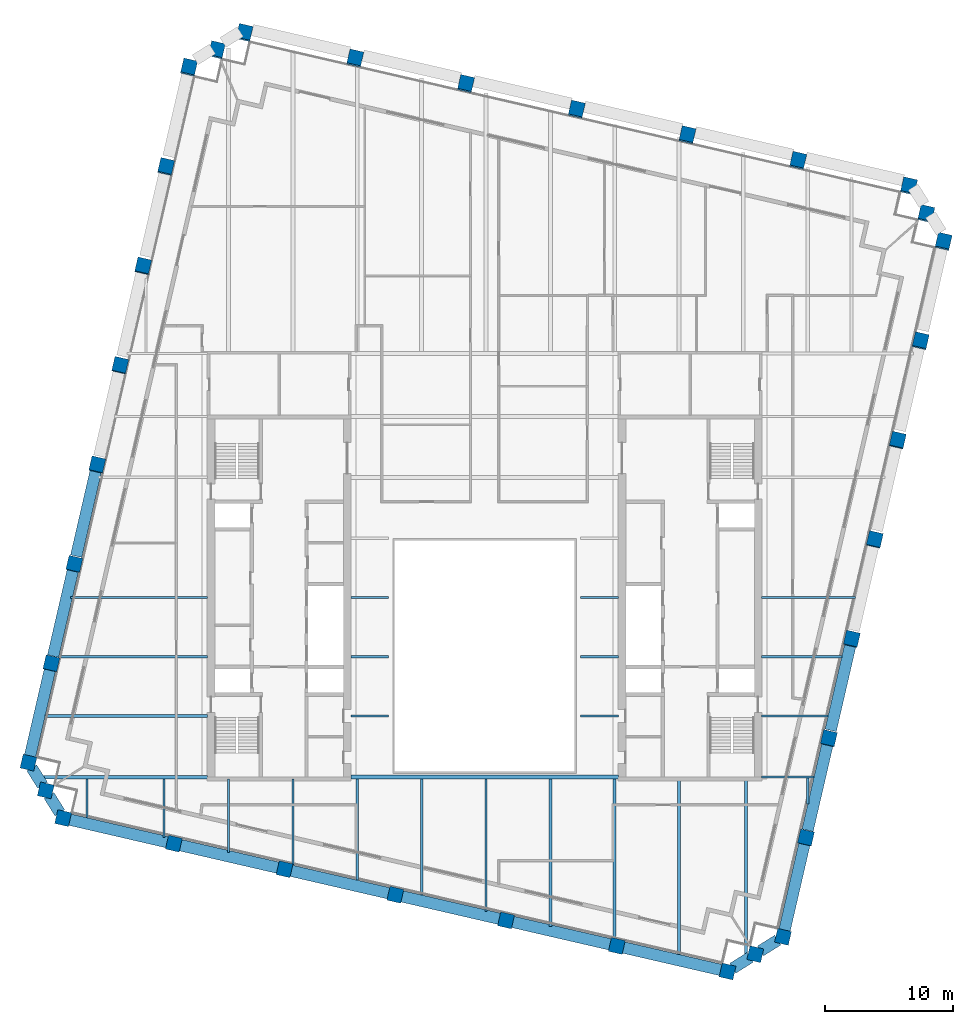
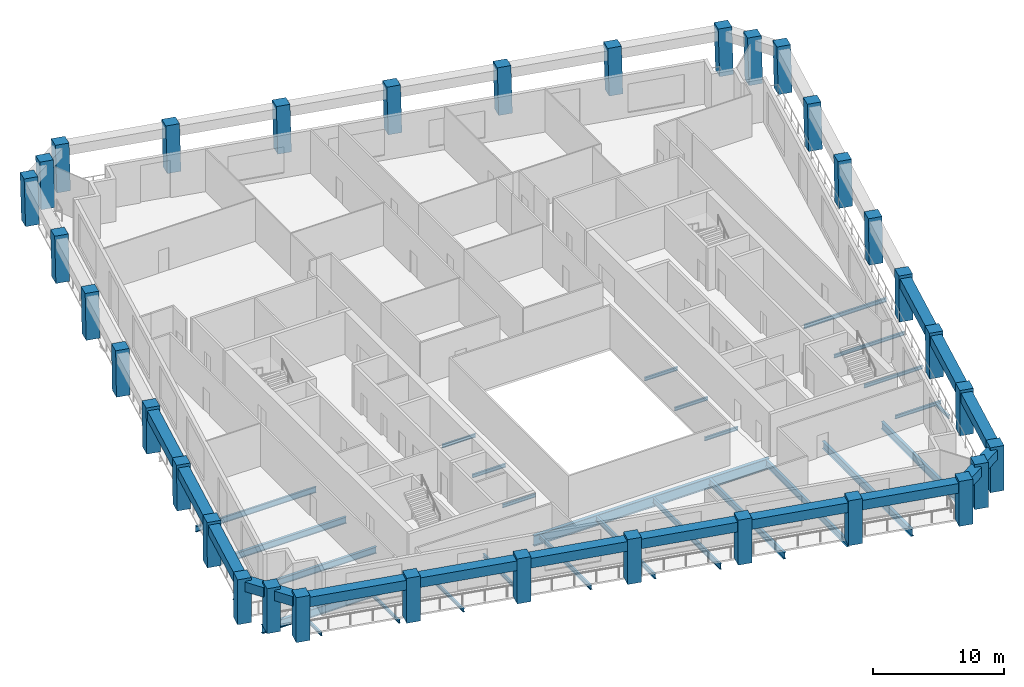
# One storey, part 1 of 11: 43 beams, 34 columns.
"""IFC4 building model written with IfcOpenShell, lengths in metres."""

from ifc_helpers import new_model, si_unit, direction, frame, origin, origin_2d, place, context, subcontext, project, spatial, rectangle, i_section, extrude, material, material_profile, profile_set, type_object, element, save


model = new_model("IFC4")

# Units and contexts
model_context = context("Model", 3, precision=1e-05, world=origin(), true_north=direction((0.0, 1.0)))
body_context = subcontext(model_context, "Body", "Model", "MODEL_VIEW")
ifc_project = project(units=[si_unit("LENGTHUNIT", "METRE"), si_unit("AREAUNIT", "SQUARE_METRE"), si_unit("VOLUMEUNIT", "CUBIC_METRE"), si_unit("PLANEANGLEUNIT", "RADIAN"), si_unit("MASSUNIT", "GRAM", prefix="KILO")], contexts=[model_context])

# Site, building, storey
site_placement = place(None, origin())
site = spatial("IfcSite", under=ifc_project, at=site_placement, CompositionType="ELEMENT")
building_placement = place(site_placement, origin())
building = spatial("IfcBuilding", under=site, at=building_placement, Name="Ogive Exchange Tower", CompositionType="ELEMENT")
storey_placement = place(building_placement, frame((0.0, 0.0, 247.199951171875)))
storey = spatial("IfcBuildingStorey", under=building, at=storey_placement, Name="L53", CompositionType="ELEMENT", Elevation=247.199951171875)

# Columns
ifc_material_1 = material(Name="Precast concrete C70/85 (limestone faced)", Category="masonry")
ifc_material_profile_1 = material_profile(ifc_material_1, rectangle(XDim=1.10009765625, YDim=1.10009765625, at=origin_2d()), Name="1100 x 1100")
ifc_profile_set_1 = profile_set([ifc_material_profile_1], Name="Precast concrete C70/85 (limestone faced)")
column_type = type_object("IfcColumnType", Name="Precast exoskeleton leg 1100 x 1100 C70/85", PredefinedType="COLUMN", material=ifc_profile_set_1)
for number, where, z_axis, x_axis, name in (
    (1, (-32.820556640625, -5.635498046875, 0.0), (0.0, 0.0, 1.0), (0.974370064785, -0.224951054344, 0.0), "Exoskeleton leg 1"),
    (2, (-24.197265625, -7.62646484375, 0.0), (0.0, 0.0, 1.0), (0.974370064785, -0.224951054344, 0.0), "Exoskeleton leg 2"),
    (3, (-15.57421875, -9.6171875, 0.0), (0.0, 0.0, 1.0), (0.974370064785, -0.224951054344, 0.0), "Exoskeleton leg 3"),
    (4, (-6.950927734375, -11.60791015625, 0.0), (0.0, 0.0, 1.0), (0.974370064785, -0.224951054344, 0.0), "Exoskeleton leg 4"),
    (5, (1.672119140625, -13.598876953125, 0.0), (0.0, 0.0, 1.0), (0.974370064785, -0.224951054344, 0.0), "Exoskeleton leg 5"),
    (6, (10.29541015625, -15.589599609375, 0.0), (0.0, 0.0, 1.0), (0.974370064785, -0.224951054344, 0.0), "Exoskeleton leg 6"),
    (7, (18.91845703125, -17.58056640625, 0.0), (0.0, 0.0, 1.0), (0.974370064785, -0.224951054344, 0.0), "Exoskeleton leg 7"),
    (8, (23.236083984375, -14.882568359375, 0.0), (0.0, 0.0, 1.0), (0.974370064785, -0.224951054344, 0.0), "Exoskeleton leg 8"),
):
    element("IfcColumn", number, at=place(storey_placement, frame(where, z_axis=z_axis, x_axis=x_axis)), inside=storey, type_object=column_type, Name=name, PredefinedType="COLUMN", context=body_context, shape_type="SweptSolid", body=[
        extrude(rectangle(XDim=1.10009765625, YDim=1.10009765625, at=origin_2d()), origin(), (0.0, 0.0, 1.0), 4.199951171875),
    ])
column_1_placement = place(storey_placement, frame((25.0205078125, -7.1533203125, 0.0), z_axis=(0.002906226325, 0.012613022249, 0.99991622925), x_axis=(-0.974466825284, 0.224531526563, 0.0)))
element("IfcColumn", 9, at=column_1_placement, inside=storey, type_object=column_type, Name="Exoskeleton leg 9", PredefinedType="COLUMN", context=body_context, shape_type="SweptSolid", body=[
    extrude(rectangle(XDim=1.10009765625, YDim=1.10009765625, at=origin_2d()), origin(), (0.0, 0.0, 1.0), 4.2001953125),
])
column_2_placement = place(storey_placement, frame((26.804931640625, 0.57568359375, 0.0), z_axis=(0.005869091843, 0.025277771797, 0.999663237302), x_axis=(-0.974088391429, 0.226167649504, 0.0)))
element("IfcColumn", 10, at=column_2_placement, inside=storey, type_object=column_type, Name="Exoskeleton leg 10", PredefinedType="COLUMN", context=body_context, shape_type="SweptSolid", body=[
    extrude(rectangle(XDim=1.10009765625, YDim=1.10009765625, at=origin_2d()), origin(), (0.0, 0.0, 1.0), 4.201416015625),
])
column_3_placement = place(storey_placement, frame((28.58935546875, 8.304931640625, 0.0), z_axis=(0.008770884695, 0.037929719907, 0.99924191662), x_axis=(-0.974290512438, 0.225295355862, 0.0)))
element("IfcColumn", 11, at=column_3_placement, inside=storey, type_object=column_type, Name="Exoskeleton leg 11", PredefinedType="COLUMN", context=body_context, shape_type="SweptSolid", body=[
    extrude(rectangle(XDim=1.10009765625, YDim=1.10009765625, at=origin_2d()), origin(), (0.0, 0.0, 1.0), 4.203125),
])
column_4_placement = place(storey_placement, frame((30.373779296875, 16.0341796875, 0.0), z_axis=(0.011668301382, 0.050504588071, 0.998655665045), x_axis=(-0.974334539389, 0.225104876342, 0.0)))
element("IfcColumn", 12, at=column_4_placement, inside=storey, type_object=column_type, Name="Exoskeleton leg 12", PredefinedType="COLUMN", context=body_context, shape_type="SweptSolid", body=[
    extrude(rectangle(XDim=1.10009765625, YDim=1.10009765625, at=origin_2d()), origin(), (0.0, 0.0, 1.0), 4.20556640625),
])
column_5_placement = place(storey_placement, frame((32.158203125, 23.76318359375, 0.0), z_axis=(0.014559788571, 0.063169759976, 0.997896584813), x_axis=(-0.97445148511, 0.224598092528, 0.0)))
element("IfcColumn", 13, at=column_5_placement, inside=storey, type_object=column_type, Name="Exoskeleton leg 13", PredefinedType="COLUMN", context=body_context, shape_type="SweptSolid", body=[
    extrude(rectangle(XDim=1.10009765625, YDim=1.10009765625, at=origin_2d()), origin(), (0.0, 0.0, 1.0), 4.208740234375),
])
column_6_placement = place(storey_placement, frame((33.942626953125, 31.492431640625, 0.0), z_axis=(0.017444089556, 0.075687644385, 0.996978978829), x_axis=(-0.974454034257, 0.224587032398, 0.0)))
element("IfcColumn", 14, at=column_6_placement, inside=storey, type_object=column_type, Name="Exoskeleton leg 14", PredefinedType="COLUMN", context=body_context, shape_type="SweptSolid", body=[
    extrude(rectangle(XDim=1.10009765625, YDim=1.10009765625, at=origin_2d()), origin(), (0.0, 0.0, 1.0), 4.212646484375),
])
for number, where, z_axis, x_axis, name in (
    (15, (35.72705078125, 39.221435546875, 0.0), (0.020377493232, 0.0882252832, 0.995892091129), (-0.97434807649, 0.225046274885, 0.0), "Exoskeleton leg 15"),
    (16, (33.029052734375, 43.5390625, 0.0), (0.020377493232, 0.0882252832, 0.995892091129), (-0.97434807649, 0.225046274885, 0.0), "Exoskeleton leg 16"),
    (17, (24.406005859375, 45.52978515625, 0.0), (0.020319626563, 0.088225387128, 0.995893264282), (-0.974488096918, 0.224439187676, 0.0), "Exoskeleton leg 17"),
    (18, (15.78271484375, 47.520751953125, 0.0), (0.020377493232, 0.0882252832, 0.995892091129), (-0.97434807649, 0.225046274885, 0.0), "Exoskeleton leg 18"),
    (19, (7.15966796875, 49.511474609375, 0.0), (0.020377493232, 0.0882252832, 0.995892091129), (-0.97434807649, 0.225046274885, 0.0), "Exoskeleton leg 19"),
    (20, (-1.463623046875, 51.50244140625, 0.0), (0.020377493232, 0.0882252832, 0.995892091129), (-0.97434807649, 0.225046274885, 0.0), "Exoskeleton leg 20"),
    (21, (-10.0869140625, 53.4931640625, 0.0), (0.020377493232, 0.0882252832, 0.995892091129), (-0.97434807649, 0.225046274885, 0.0), "Exoskeleton leg 21"),
    (22, (-18.7099609375, 55.48388671875, 0.0), (0.020377493232, 0.0882252832, 0.995892091129), (-0.97434807649, 0.225046274885, 0.0), "Exoskeleton leg 22"),
    (23, (-23.027587890625, 52.7861328125, 0.0), (0.020377493232, 0.0882252832, 0.995892091129), (-0.97434807649, 0.225046274885, 0.0), "Exoskeleton leg 23"),
):
    element("IfcColumn", number, at=place(storey_placement, frame(where, z_axis=z_axis, x_axis=x_axis)), inside=storey, type_object=column_type, Name=name, PredefinedType="COLUMN", context=body_context, shape_type="SweptSolid", body=[
        extrude(rectangle(XDim=1.10009765625, YDim=1.10009765625, at=origin_2d()), origin(), (0.0, 0.0, 1.0), 4.21728515625),
    ])
column_7_placement = place(storey_placement, frame((-24.81201171875, 45.056884765625, 0.0), z_axis=(0.017502025619, 0.075687567741, 0.996977969259), x_axis=(-0.974290512438, 0.225295355862, 0.0)))
element("IfcColumn", 24, at=column_7_placement, inside=storey, type_object=column_type, Name="Exoskeleton leg 24", PredefinedType="COLUMN", context=body_context, shape_type="SweptSolid", body=[
    extrude(rectangle(XDim=1.10009765625, YDim=1.10009765625, at=origin_2d()), origin(), (0.0, 0.0, 1.0), 4.212646484375),
])
column_8_placement = place(storey_placement, frame((-26.59619140625, 37.327880859375, 0.0), z_axis=(0.014559841898, 0.063111984005, 0.997900239743), x_axis=(-0.97440628778, 0.224794097641, 0.0)))
element("IfcColumn", 25, at=column_8_placement, inside=storey, type_object=column_type, Name="Exoskeleton leg 25", PredefinedType="COLUMN", context=body_context, shape_type="SweptSolid", body=[
    extrude(rectangle(XDim=1.10009765625, YDim=1.10009765625, at=origin_2d()), origin(), (0.0, 0.0, 1.0), 4.208740234375),
])
column_9_placement = place(storey_placement, frame((-28.380859375, 29.5986328125, 0.0), z_axis=(0.011668267153, 0.050562490995, 0.998652735462), x_axis=(-0.974391195695, 0.224859506699, 0.0)))
element("IfcColumn", 26, at=column_9_placement, inside=storey, type_object=column_type, Name="Exoskeleton leg 26", PredefinedType="COLUMN", context=body_context, shape_type="SweptSolid", body=[
    extrude(rectangle(XDim=1.10009765625, YDim=1.10009765625, at=origin_2d()), origin(), (0.0, 0.0, 1.0), 4.20556640625),
])
column_10_placement = place(storey_placement, frame((-30.165283203125, 21.869384765625, 0.0), z_axis=(0.008770884695, 0.037929719907, 0.99924191662), x_axis=(-0.974290512438, 0.225295355862, 0.0)))
element("IfcColumn", 27, at=column_10_placement, inside=storey, type_object=column_type, Name="Exoskeleton leg 27", PredefinedType="COLUMN", context=body_context, shape_type="SweptSolid", body=[
    extrude(rectangle(XDim=1.10009765625, YDim=1.10009765625, at=origin_2d()), origin(), (0.0, 0.0, 1.0), 4.203125),
])
column_11_placement = place(storey_placement, frame((-31.94970703125, 14.140380859375, 0.0), z_axis=(0.005869091843, 0.025277771797, 0.999663237302), x_axis=(-0.974088391429, 0.226167649504, 0.0)))
element("IfcColumn", 28, at=column_11_placement, inside=storey, type_object=column_type, Name="Exoskeleton leg 28", PredefinedType="COLUMN", context=body_context, shape_type="SweptSolid", body=[
    extrude(rectangle(XDim=1.10009765625, YDim=1.10009765625, at=origin_2d()), origin(), (0.0, 0.0, 1.0), 4.201416015625),
])
column_12_placement = place(storey_placement, frame((-33.73388671875, 6.4111328125, 0.0), z_axis=(0.002906224189, 0.012671137464, 0.999915494498), x_axis=(-0.974691740237, 0.22355315143, 0.0)))
element("IfcColumn", 29, at=column_12_placement, inside=storey, type_object=column_type, Name="Exoskeleton leg 29", PredefinedType="COLUMN", context=body_context, shape_type="SweptSolid", body=[
    extrude(rectangle(XDim=1.10009765625, YDim=1.10009765625, at=origin_2d()), origin(), (0.0, 0.0, 1.0), 4.2001953125),
])
for number, where, z_axis, x_axis, name in (
    (30, (-35.518310546875, -1.318115234375, 0.0), (0.0, 0.0, 1.0), (0.974370064785, -0.224951054344, 0.0), "Exoskeleton leg 30"),
    (31, (21.077392578125, -16.2314453125, 0.0), (0.0, 0.0, 1.0), (0.974370064785, -0.224951054344, 0.0), "Exoskeleton leg 31"),
):
    element("IfcColumn", number, at=place(storey_placement, frame(where, z_axis=z_axis, x_axis=x_axis)), inside=storey, type_object=column_type, Name=name, PredefinedType="COLUMN", context=body_context, shape_type="SweptSolid", body=[
        extrude(rectangle(XDim=1.10009765625, YDim=1.10009765625, at=origin_2d()), origin(), (0.0, 0.0, 1.0), 4.199951171875),
    ])
for number, where, z_axis, x_axis, name in (
    (32, (34.378173828125, 41.38037109375, 0.0), (0.020319730311, 0.088167946619, 0.995898349105), (-0.97445585692, 0.224579123952, 0.0), "Exoskeleton leg 32"),
    (33, (-20.86865234375, 54.135009765625, 0.0), (0.020377493232, 0.0882252832, 0.995892091129), (-0.97434807649, 0.225046274885, 0.0), "Exoskeleton leg 33"),
):
    element("IfcColumn", number, at=place(storey_placement, frame(where, z_axis=z_axis, x_axis=x_axis)), inside=storey, type_object=column_type, Name=name, PredefinedType="COLUMN", context=body_context, shape_type="SweptSolid", body=[
        extrude(rectangle(XDim=1.10009765625, YDim=1.10009765625, at=origin_2d()), origin(), (0.0, 0.0, 1.0), 4.21728515625),
    ])
column_13_placement = place(storey_placement, frame((-34.16943359375, -3.476806640625, 0.0), z_axis=(0.0, 0.0, 1.0), x_axis=(0.974370064785, -0.224951054344, 0.0)))
element("IfcColumn", 34, at=column_13_placement, inside=storey, type_object=column_type, Name="Exoskeleton leg 34", PredefinedType="COLUMN", context=body_context, shape_type="SweptSolid", body=[
    extrude(rectangle(XDim=1.10009765625, YDim=1.10009765625, at=origin_2d()), origin(), (0.0, 0.0, 1.0), 4.199951171875),
])

# Beams
ifc_material_2 = material(Name="Steel ASTM A992 Gr50", Category="steel")
ifc_material_profile_2 = material_profile(ifc_material_2, i_section(OverallWidth=0.1650390625, OverallDepth=0.31005859375, WebThickness=0.005859375, FlangeThickness=0.009765625, at=origin_2d()), Name="W310x38.7")
ifc_profile_set_2 = profile_set([ifc_material_profile_2], Name="Steel ASTM A992 Gr50")
beam_type_1 = type_object("IfcBeamType", Name="Floor beam W310x38.7", PredefinedType="JOIST", material=ifc_profile_set_2)
for number, where, z_axis, x_axis, name in (
    (35, (-10.419921875, 2.3212890625, -0.35498046875), (1.0, 0.0, 0.0), (0.0, 1.0, 0.0), "Floor beam"),
    (36, (7.469970703125, 2.3212890625, -0.35498046875), (1.0, 0.0, 0.0), (0.0, 1.0, 0.0), "Floor beam"),
):
    element("IfcBeam", number, at=place(storey_placement, frame(where, z_axis=z_axis, x_axis=x_axis)), inside=storey, type_object=beam_type_1, Name=name, PredefinedType="JOIST", context=body_context, shape_type="SweptSolid", body=[
        extrude(i_section(OverallWidth=0.1650390625, OverallDepth=0.31005859375, WebThickness=0.005859375, FlangeThickness=0.009765625, at=origin_2d()), origin(), (0.0, 0.0, 1.0), 2.949951171875),
    ])
beam_1_placement = place(storey_placement, frame((21.580078125, 2.3212890625, -0.35498046875), z_axis=(1.0, 0.0, 0.0), x_axis=(0.0, 1.0, 0.0)))
element("IfcBeam", 37, at=beam_1_placement, inside=storey, type_object=beam_type_1, Name="Floor beam", PredefinedType="JOIST", context=body_context, shape_type="SweptSolid", body=[
    extrude(i_section(OverallWidth=0.1650390625, OverallDepth=0.31005859375, WebThickness=0.005859375, FlangeThickness=0.009765625, at=origin_2d()), origin(), (0.0, 0.0, 1.0), 5.166015625),
])
for number, where, z_axis, x_axis, name in (
    (38, (-10.419921875, 6.9326171875, -0.35498046875), (1.0, 0.0, 0.0), (0.0, 1.0, 0.0), "Floor beam"),
    (39, (7.469970703125, 6.9326171875, -0.35498046875), (1.0, 0.0, 0.0), (0.0, 1.0, 0.0), "Floor beam"),
):
    element("IfcBeam", number, at=place(storey_placement, frame(where, z_axis=z_axis, x_axis=x_axis)), inside=storey, type_object=beam_type_1, Name=name, PredefinedType="JOIST", context=body_context, shape_type="SweptSolid", body=[
        extrude(i_section(OverallWidth=0.1650390625, OverallDepth=0.31005859375, WebThickness=0.005859375, FlangeThickness=0.009765625, at=origin_2d()), origin(), (0.0, 0.0, 1.0), 2.949951171875),
    ])
beam_2_placement = place(storey_placement, frame((21.580078125, 6.9326171875, -0.35498046875), z_axis=(1.0, 0.0, 0.0), x_axis=(0.0, 1.0, 0.0)))
element("IfcBeam", 40, at=beam_2_placement, inside=storey, type_object=beam_type_1, Name="Floor beam", PredefinedType="JOIST", context=body_context, shape_type="SweptSolid", body=[
    extrude(i_section(OverallWidth=0.1650390625, OverallDepth=0.31005859375, WebThickness=0.005859375, FlangeThickness=0.009765625, at=origin_2d()), origin(), (0.0, 0.0, 1.0), 6.230712890625),
])
for number, where, z_axis, x_axis, name in (
    (41, (-10.419921875, 11.543701171875, -0.35498046875), (1.0, 0.0, 0.0), (0.0, 1.0, 0.0), "Floor beam"),
    (42, (7.469970703125, 11.543701171875, -0.35498046875), (1.0, 0.0, 0.0), (0.0, 1.0, 0.0), "Floor beam"),
):
    element("IfcBeam", number, at=place(storey_placement, frame(where, z_axis=z_axis, x_axis=x_axis)), inside=storey, type_object=beam_type_1, Name=name, PredefinedType="JOIST", context=body_context, shape_type="SweptSolid", body=[
        extrude(i_section(OverallWidth=0.1650390625, OverallDepth=0.31005859375, WebThickness=0.005859375, FlangeThickness=0.009765625, at=origin_2d()), origin(), (0.0, 0.0, 1.0), 2.949951171875),
    ])
beam_3_placement = place(storey_placement, frame((-30.966796875, -5.601806640625, -0.35498046875), z_axis=(0.0, 1.0, 0.0), x_axis=(-1.0, 0.0, 0.0)))
element("IfcBeam", 43, at=beam_3_placement, inside=storey, type_object=beam_type_1, Name="Floor beam", PredefinedType="JOIST", context=body_context, shape_type="SweptSolid", body=[
    extrude(i_section(OverallWidth=0.1650390625, OverallDepth=0.31005859375, WebThickness=0.005859375, FlangeThickness=0.009765625, at=origin_2d()), origin(), (0.0, 0.0, 1.0), 3.023193359375),
])
beam_4_placement = place(storey_placement, frame((-24.955078125, -7.1396484375, -0.35498046875), z_axis=(0.0, 1.0, 0.0), x_axis=(-1.0, 0.0, 0.0)))
element("IfcBeam", 44, at=beam_4_placement, inside=storey, type_object=beam_type_1, Name="Floor beam", PredefinedType="JOIST", context=body_context, shape_type="SweptSolid", body=[
    extrude(i_section(OverallWidth=0.1650390625, OverallDepth=0.31005859375, WebThickness=0.005859375, FlangeThickness=0.009765625, at=origin_2d()), origin(), (0.0, 0.0, 1.0), 4.56103515625),
])
beam_5_placement = place(storey_placement, frame((-19.943115234375, -8.296630859375, -0.35498046875), z_axis=(0.0, 1.0, 0.0), x_axis=(-1.0, 0.0, 0.0)))
element("IfcBeam", 45, at=beam_5_placement, inside=storey, type_object=beam_type_1, Name="Floor beam", PredefinedType="JOIST", context=body_context, shape_type="SweptSolid", body=[
    extrude(i_section(OverallWidth=0.1650390625, OverallDepth=0.31005859375, WebThickness=0.005859375, FlangeThickness=0.009765625, at=origin_2d()), origin(), (0.0, 0.0, 1.0), 5.696533203125),
])
beam_6_placement = place(storey_placement, frame((25.16357421875, -4.533203125, -0.35498046875), z_axis=(0.0, 1.0, 0.0), x_axis=(-1.0, 0.0, 0.0)))
element("IfcBeam", 46, at=beam_6_placement, inside=storey, type_object=beam_type_1, Name="Floor beam", PredefinedType="JOIST", context=body_context, shape_type="SweptSolid", body=[
    extrude(i_section(OverallWidth=0.1650390625, OverallDepth=0.31005859375, WebThickness=0.005859375, FlangeThickness=0.009765625, at=origin_2d()), origin(), (0.0, 0.0, 1.0), 2.005615234375),
])
ifc_material_profile_3 = material_profile(ifc_material_2, i_section(OverallWidth=0.1708984375, OverallDepth=0.35595703125, WebThickness=0.00732421875, FlangeThickness=0.01171875, at=origin_2d()), Name="W360x51")
ifc_profile_set_3 = profile_set([ifc_material_profile_3], Name="Steel ASTM A992 Gr50")
beam_type_2 = type_object("IfcBeamType", Name="Floor beam W360x51", PredefinedType="JOIST", material=ifc_profile_set_3)
beam_7_placement = place(storey_placement, frame((21.580078125, 11.543701171875, -0.3779296875), z_axis=(1.0, 0.0, 0.0), x_axis=(0.0, 1.0, 0.0)))
element("IfcBeam", 47, at=beam_7_placement, inside=storey, type_object=beam_type_2, Name="Floor beam", PredefinedType="JOIST", context=body_context, shape_type="SweptSolid", body=[
    extrude(i_section(OverallWidth=0.1708984375, OverallDepth=0.35595703125, WebThickness=0.00732421875, FlangeThickness=0.01171875, at=origin_2d()), origin(), (0.0, 0.0, 1.0), 7.295166015625),
])
beam_8_placement = place(storey_placement, frame((-14.931396484375, -9.3037109375, -0.3779296875), z_axis=(0.0, 1.0, 0.0), x_axis=(-1.0, 0.0, 0.0)))
element("IfcBeam", 48, at=beam_8_placement, inside=storey, type_object=beam_type_2, Name="Floor beam", PredefinedType="JOIST", context=body_context, shape_type="SweptSolid", body=[
    extrude(i_section(OverallWidth=0.1708984375, OverallDepth=0.35595703125, WebThickness=0.00732421875, FlangeThickness=0.01171875, at=origin_2d()), origin(), (0.0, 0.0, 1.0), 6.70361328125),
])
ifc_material_profile_4 = material_profile(ifc_material_2, i_section(OverallWidth=0.177978515625, OverallDepth=0.406005859375, WebThickness=0.0078125, FlangeThickness=0.0126953125, at=origin_2d()), Name="W410x60")
ifc_profile_set_4 = profile_set([ifc_material_profile_4], Name="Steel ASTM A992 Gr50")
beam_type_3 = type_object("IfcBeamType", Name="Floor beam W410x60", PredefinedType="JOIST", material=ifc_profile_set_4)
beam_9_placement = place(storey_placement, frame((-9.91943359375, -10.4609375, -0.40283203125), z_axis=(0.0, 1.0, 0.0), x_axis=(-1.0, 0.0, 0.0)))
element("IfcBeam", 49, at=beam_9_placement, inside=storey, type_object=beam_type_3, Name="Floor beam", PredefinedType="JOIST", context=body_context, shape_type="SweptSolid", body=[
    extrude(i_section(OverallWidth=0.177978515625, OverallDepth=0.406005859375, WebThickness=0.0078125, FlangeThickness=0.0126953125, at=origin_2d()), origin(), (0.0, 0.0, 1.0), 7.865966796875),
])
ifc_material_profile_5 = material_profile(ifc_material_2, i_section(OverallWidth=0.19091796875, OverallDepth=0.45703125, WebThickness=0.009033203125, FlangeThickness=0.014404296875, at=origin_2d()), Name="W460x74")
ifc_profile_set_5 = profile_set([ifc_material_profile_5], Name="Steel ASTM A992 Gr50")
beam_type_4 = type_object("IfcBeamType", Name="Floor beam W460x74", PredefinedType="JOIST", material=ifc_profile_set_5)
beam_10_placement = place(storey_placement, frame((-4.90771484375, -11.617919921875, -0.428466796875), z_axis=(0.0, 1.0, 0.0), x_axis=(-1.0, 0.0, 0.0)))
element("IfcBeam", 50, at=beam_10_placement, inside=storey, type_object=beam_type_4, Name="Floor beam", PredefinedType="JOIST", context=body_context, shape_type="SweptSolid", body=[
    extrude(i_section(OverallWidth=0.19091796875, OverallDepth=0.45703125, WebThickness=0.009033203125, FlangeThickness=0.014404296875, at=origin_2d()), origin(), (0.0, 0.0, 1.0), 9.02294921875),
])
ifc_material_profile_6 = material_profile(ifc_material_2, i_section(OverallWidth=0.1669921875, OverallDepth=0.535888671875, WebThickness=0.01025390625, FlangeThickness=0.0166015625, at=origin_2d()), Name="W530x85")
ifc_profile_set_6 = profile_set([ifc_material_profile_6], Name="Steel ASTM A992 Gr50")
beam_type_5 = type_object("IfcBeamType", Name="Floor beam W530x85", PredefinedType="JOIST", material=ifc_profile_set_6)
beam_11_placement = place(storey_placement, frame((-32.2373046875, 11.543701171875, -0.468017578125), z_axis=(1.0, 0.0, 0.0), x_axis=(0.0, 1.0, 0.0)))
element("IfcBeam", 51, at=beam_11_placement, inside=storey, type_object=beam_type_5, Name="Floor beam", PredefinedType="JOIST", context=body_context, shape_type="SweptSolid", body=[
    extrude(i_section(OverallWidth=0.1669921875, OverallDepth=0.535888671875, WebThickness=0.01025390625, FlangeThickness=0.0166015625, at=origin_2d()), origin(), (0.0, 0.0, 1.0), 10.6572265625),
])
beam_12_placement = place(storey_placement, frame((0.104248046875, -12.925048828125, -0.468017578125), z_axis=(0.0, 1.0, 0.0), x_axis=(-1.0, 0.0, 0.0)))
element("IfcBeam", 52, at=beam_12_placement, inside=storey, type_object=beam_type_5, Name="Floor beam", PredefinedType="JOIST", context=body_context, shape_type="SweptSolid", body=[
    extrude(i_section(OverallWidth=0.1669921875, OverallDepth=0.535888671875, WebThickness=0.01025390625, FlangeThickness=0.0166015625, at=origin_2d()), origin(), (0.0, 0.0, 1.0), 10.330078125),
])
ifc_material_profile_7 = material_profile(ifc_material_2, i_section(OverallWidth=0.22802734375, OverallDepth=0.60205078125, WebThickness=0.010498046875, FlangeThickness=0.014892578125, at=origin_2d()), Name="W610x101")
ifc_profile_set_7 = profile_set([ifc_material_profile_7], Name="Steel ASTM A992 Gr50")
beam_type_6 = type_object("IfcBeamType", Name="Floor beam W610x101", PredefinedType="JOIST", material=ifc_profile_set_7)
beam_13_placement = place(storey_placement, frame((-34.21630859375, 2.3212890625, -0.5009765625), z_axis=(1.0, 0.0, 0.0), x_axis=(0.0, 1.0, 0.0)))
element("IfcBeam", 53, at=beam_13_placement, inside=storey, type_object=beam_type_6, Name="Floor beam", PredefinedType="JOIST", context=body_context, shape_type="SweptSolid", body=[
    extrude(i_section(OverallWidth=0.22802734375, OverallDepth=0.60205078125, WebThickness=0.010498046875, FlangeThickness=0.014892578125, at=origin_2d()), origin(), (0.0, 0.0, 1.0), 12.63623046875),
])
beam_14_placement = place(storey_placement, frame((-33.15185546875, 6.9326171875, -0.5009765625), z_axis=(1.0, 0.0, 0.0), x_axis=(0.0, 1.0, 0.0)))
element("IfcBeam", 54, at=beam_14_placement, inside=storey, type_object=beam_type_6, Name="Floor beam", PredefinedType="JOIST", context=body_context, shape_type="SweptSolid", body=[
    extrude(i_section(OverallWidth=0.22802734375, OverallDepth=0.60205078125, WebThickness=0.010498046875, FlangeThickness=0.014892578125, at=origin_2d()), origin(), (0.0, 0.0, 1.0), 11.57177734375),
])
beam_15_placement = place(storey_placement, frame((5.1162109375, -14.08203125, -0.5009765625), z_axis=(0.0, 1.0, 0.0), x_axis=(-1.0, 0.0, 0.0)))
element("IfcBeam", 55, at=beam_15_placement, inside=storey, type_object=beam_type_6, Name="Floor beam", PredefinedType="JOIST", context=body_context, shape_type="SweptSolid", body=[
    extrude(i_section(OverallWidth=0.22802734375, OverallDepth=0.60205078125, WebThickness=0.010498046875, FlangeThickness=0.014892578125, at=origin_2d()), origin(), (0.0, 0.0, 1.0), 11.487060546875),
])
beam_16_placement = place(storey_placement, frame((10.1279296875, -15.089111328125, -0.5009765625), z_axis=(0.0, 1.0, 0.0), x_axis=(-1.0, 0.0, 0.0)))
element("IfcBeam", 56, at=beam_16_placement, inside=storey, type_object=beam_type_6, Name="Floor beam", PredefinedType="JOIST", context=body_context, shape_type="SweptSolid", body=[
    extrude(i_section(OverallWidth=0.22802734375, OverallDepth=0.60205078125, WebThickness=0.010498046875, FlangeThickness=0.014892578125, at=origin_2d()), origin(), (0.0, 0.0, 1.0), 12.494140625),
])
ifc_material_profile_8 = material_profile(ifc_material_2, i_section(OverallWidth=0.25390625, OverallDepth=0.677978515625, WebThickness=0.01171875, FlangeThickness=0.016357421875, at=origin_2d()), Name="W690x125")
ifc_profile_set_8 = profile_set([ifc_material_profile_8], Name="Steel ASTM A992 Gr50")
beam_type_7 = type_object("IfcBeamType", Name="Floor beam W690x125", PredefinedType="JOIST", material=ifc_profile_set_8)
beam_17_placement = place(storey_placement, frame((15.139892578125, -16.246337890625, -0.5390625), z_axis=(0.0, 1.0, 0.0), x_axis=(-1.0, 0.0, 0.0)))
element("IfcBeam", 57, at=beam_17_placement, inside=storey, type_object=beam_type_7, Name="Floor beam", PredefinedType="JOIST", context=body_context, shape_type="SweptSolid", body=[
    extrude(i_section(OverallWidth=0.25390625, OverallDepth=0.677978515625, WebThickness=0.01171875, FlangeThickness=0.016357421875, at=origin_2d()), origin(), (0.0, 0.0, 1.0), 13.646240234375),
])
beam_18_placement = place(storey_placement, frame((20.351806640625, -16.30419921875, -0.5390625), z_axis=(0.0, 1.0, 0.0), x_axis=(-1.0, 0.0, 0.0)))
element("IfcBeam", 58, at=beam_18_placement, inside=storey, type_object=beam_type_7, Name="Floor beam", PredefinedType="JOIST", context=body_context, shape_type="SweptSolid", body=[
    extrude(i_section(OverallWidth=0.25390625, OverallDepth=0.677978515625, WebThickness=0.01171875, FlangeThickness=0.016357421875, at=origin_2d()), origin(), (0.0, 0.0, 1.0), 13.7041015625),
])
ifc_material_profile_9 = material_profile(ifc_material_2, i_section(OverallWidth=0.300048828125, OverallDepth=0.97998046875, WebThickness=0.0166015625, FlangeThickness=0.026123046875, at=origin_2d()), Name="W1000x249")
ifc_profile_set_9 = profile_set([ifc_material_profile_9], Name="Steel ASTM A992 Gr50")
beam_type_8 = type_object("IfcBeamType", Name="Girder W1000x249", PredefinedType="BEAM", material=ifc_profile_set_9)
beam_19_placement = place(storey_placement, frame((-10.419921875, -2.445068359375, -0.68994140625), z_axis=(1.0, 0.0, 0.0), x_axis=(0.0, 1.0, 0.0)))
element("IfcBeam", 59, at=beam_19_placement, inside=storey, type_object=beam_type_8, Name="Header girder", PredefinedType="BEAM", context=body_context, shape_type="SweptSolid", body=[
    extrude(i_section(OverallWidth=0.300048828125, OverallDepth=0.97998046875, WebThickness=0.0166015625, FlangeThickness=0.026123046875, at=origin_2d()), origin(), (0.0, 0.0, 1.0), 20.83984375),
])
ifc_material_profile_10 = material_profile(ifc_material_2, i_section(OverallWidth=0.1650390625, OverallDepth=0.31005859375, WebThickness=0.005859375, FlangeThickness=0.009765625, at=origin_2d()), Name="W310x38.7")
ifc_profile_set_10 = profile_set([ifc_material_profile_10], Name="Steel ASTM A992 Gr50")
beam_type_9 = type_object("IfcBeamType", Name="Girder W310x38.7", PredefinedType="BEAM", material=ifc_profile_set_10)
beam_20_placement = place(storey_placement, frame((21.580078125, -2.445068359375, -0.35498046875), z_axis=(1.0, 0.0, 0.0), x_axis=(0.0, 1.0, 0.0)))
element("IfcBeam", 60, at=beam_20_placement, inside=storey, type_object=beam_type_9, Name="Header girder", PredefinedType="BEAM", context=body_context, shape_type="SweptSolid", body=[
    extrude(i_section(OverallWidth=0.1650390625, OverallDepth=0.31005859375, WebThickness=0.005859375, FlangeThickness=0.009765625, at=origin_2d()), origin(), (0.0, 0.0, 1.0), 4.065673828125),
])
ifc_material_profile_11 = material_profile(ifc_material_2, i_section(OverallWidth=0.26708984375, OverallDepth=0.75390625, WebThickness=0.01318359375, FlangeThickness=0.01708984375, at=origin_2d()), Name="W760x147")
ifc_profile_set_11 = profile_set([ifc_material_profile_11], Name="Steel ASTM A992 Gr50")
beam_type_10 = type_object("IfcBeamType", Name="Girder W760x147", PredefinedType="BEAM", material=ifc_profile_set_11)
beam_21_placement = place(storey_placement, frame((-34.43359375, -2.445068359375, -0.576904296875), z_axis=(1.0, 0.0, 0.0), x_axis=(0.0, 1.0, 0.0)))
element("IfcBeam", 61, at=beam_21_placement, inside=storey, type_object=beam_type_10, Name="Header girder", PredefinedType="BEAM", context=body_context, shape_type="SweptSolid", body=[
    extrude(i_section(OverallWidth=0.26708984375, OverallDepth=0.75390625, WebThickness=0.01318359375, FlangeThickness=0.01708984375, at=origin_2d()), origin(), (0.0, 0.0, 1.0), 12.853515625),
])
ifc_material_profile_12 = material_profile(ifc_material_1, rectangle(XDim=0.89990234375, YDim=0.89990234375, at=origin_2d()), Name="900 x 900")
ifc_profile_set_12 = profile_set([ifc_material_profile_12], Name="Precast concrete C70/85 (limestone faced)")
beam_type_11 = type_object("IfcBeamType", Name="Precast spandrel 900 x 900 C70/85", PredefinedType="SPANDREL", material=ifc_profile_set_12)
for number, where, z_axis, x_axis, name in (
    (62, (-32.30419921875, -5.7548828125, 3.5), (0.974374818602, -0.224930462307, 0.0), (0.224930462307, 0.974374818602, 0.0), "Spandrel 1"),
    (63, (-23.680908203125, -7.74560546875, 3.5), (0.974367949416, -0.224960216819, 0.0), (0.224960216819, 0.974367949416, 0.0), "Spandrel 2"),
    (64, (-15.0576171875, -9.736328125, 3.5), (0.974367949416, -0.224960216819, 0.0), (0.224960216819, 0.974367949416, 0.0), "Spandrel 3"),
    (65, (-6.4345703125, -11.727294921875, 3.5), (0.974374818602, -0.224930462307, 0.0), (0.224930462307, 0.974374818602, 0.0), "Spandrel 4"),
):
    element("IfcBeam", number, at=place(storey_placement, frame(where, z_axis=z_axis, x_axis=x_axis)), inside=storey, type_object=beam_type_11, Name=name, PredefinedType="SPANDREL", context=body_context, shape_type="SweptSolid", body=[
        extrude(rectangle(XDim=0.89990234375, YDim=0.89990234375, at=origin_2d()), origin(), (0.0, 0.0, 1.0), 7.7900390625),
    ])
beam_22_placement = place(storey_placement, frame((2.188720703125, -13.718017578125, 3.5), z_axis=(0.974366363305, -0.224967086616, 0.0), x_axis=(0.224967086616, 0.974366363305, 0.0)))
element("IfcBeam", 66, at=beam_22_placement, inside=storey, type_object=beam_type_11, Name="Spandrel 5", PredefinedType="SPANDREL", context=body_context, shape_type="SweptSolid", body=[
    extrude(rectangle(XDim=0.89990234375, YDim=0.89990234375, at=origin_2d()), origin(), (0.0, 0.0, 1.0), 7.789794921875),
])
beam_23_placement = place(storey_placement, frame((10.811767578125, -15.708984375, 3.5), z_axis=(0.974374818602, -0.224930462307, 0.0), x_axis=(0.224930462307, 0.974374818602, 0.0)))
element("IfcBeam", 67, at=beam_23_placement, inside=storey, type_object=beam_type_11, Name="Spandrel 6", PredefinedType="SPANDREL", context=body_context, shape_type="SweptSolid", body=[
    extrude(rectangle(XDim=0.89990234375, YDim=0.89990234375, at=origin_2d()), origin(), (0.0, 0.0, 1.0), 7.7900390625),
])
for number, where, z_axis, x_axis, name in (
    (68, (19.32373046875, -17.327392578125, 3.5), (0.84798967817, 0.53001274109, 0.0), (-0.53001274109, 0.84798967817, 0.0), "Spandrel 7"),
    (69, (21.482421875, -15.978271484375, 3.5), (0.848058683477, 0.529902320601, 0.0), (-0.529902320601, 0.848058683477, 0.0), "Spandrel 8"),
):
    element("IfcBeam", number, at=place(storey_placement, frame(where, z_axis=z_axis, x_axis=x_axis)), inside=storey, type_object=beam_type_11, Name=name, PredefinedType="SPANDREL", context=body_context, shape_type="SweptSolid", body=[
        extrude(rectangle(XDim=0.89990234375, YDim=0.89990234375, at=origin_2d()), origin(), (0.0, 0.0, 1.0), 1.590087890625),
    ])
for number, where, z_axis, x_axis, name in (
    (70, (23.355224609375, -14.3662109375, 3.5), (0.224965040594, 0.974366835699, 0.0), (-0.974366835699, 0.224965040594, 0.0), "Spandrel 9"),
    (71, (25.152099609375, -6.583984375, 3.5), (0.224931579484, 0.974374560706, 0.0), (-0.974374560706, 0.224931579484, 0.0), "Spandrel 10"),
    (72, (26.94873046875, 1.198486328125, 3.5), (0.224931579484, 0.974374560706, 0.0), (-0.974374560706, 0.224931579484, 0.0), "Spandrel 11"),
    (73, (-30.24755859375, 21.512451171875, 3.5), (-0.224965040594, -0.974366835699, 0.0), (0.974366835699, -0.224965040594, 0.0), "Spandrel 30"),
    (74, (-32.044189453125, 13.730224609375, 3.5), (-0.224965040594, -0.974366835699, 0.0), (0.974366835699, -0.224965040594, 0.0), "Spandrel 31"),
    (75, (-33.841064453125, 5.947998046875, 3.5), (-0.224931579484, -0.974374560706, 0.0), (0.974374560706, -0.224931579484, 0.0), "Spandrel 32"),
):
    element("IfcBeam", number, at=place(storey_placement, frame(where, z_axis=z_axis, x_axis=x_axis)), inside=storey, type_object=beam_type_11, Name=name, PredefinedType="SPANDREL", context=body_context, shape_type="SweptSolid", body=[
        extrude(rectangle(XDim=0.89990234375, YDim=0.89990234375, at=origin_2d()), origin(), (0.0, 0.0, 1.0), 6.927001953125),
    ])
for number, where, z_axis, x_axis, name in (
    (76, (-35.26513671875, -1.72314453125, 3.5), (0.529902320601, -0.848058683477, 0.0), (0.848058683477, 0.529902320601, 0.0), "Spandrel 33"),
    (77, (-33.916259765625, -3.882080078125, 3.5), (0.529902320601, -0.848058683477, 0.0), (0.848058683477, 0.529902320601, 0.0), "Spandrel 34"),
):
    element("IfcBeam", number, at=place(storey_placement, frame(where, z_axis=z_axis, x_axis=x_axis)), inside=storey, type_object=beam_type_11, Name=name, PredefinedType="SPANDREL", context=body_context, shape_type="SweptSolid", body=[
        extrude(rectangle(XDim=0.89990234375, YDim=0.89990234375, at=origin_2d()), origin(), (0.0, 0.0, 1.0), 1.590087890625),
    ])

save(model, "model.ifc")
